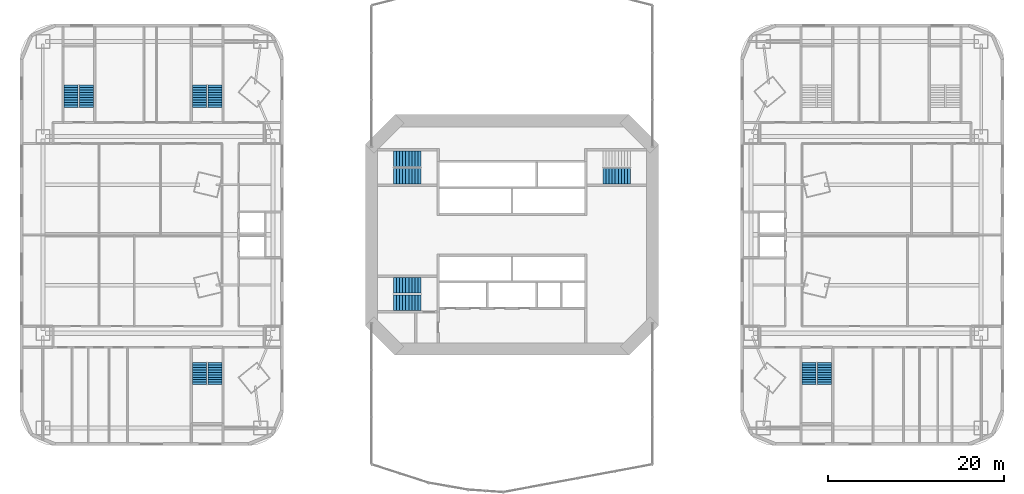
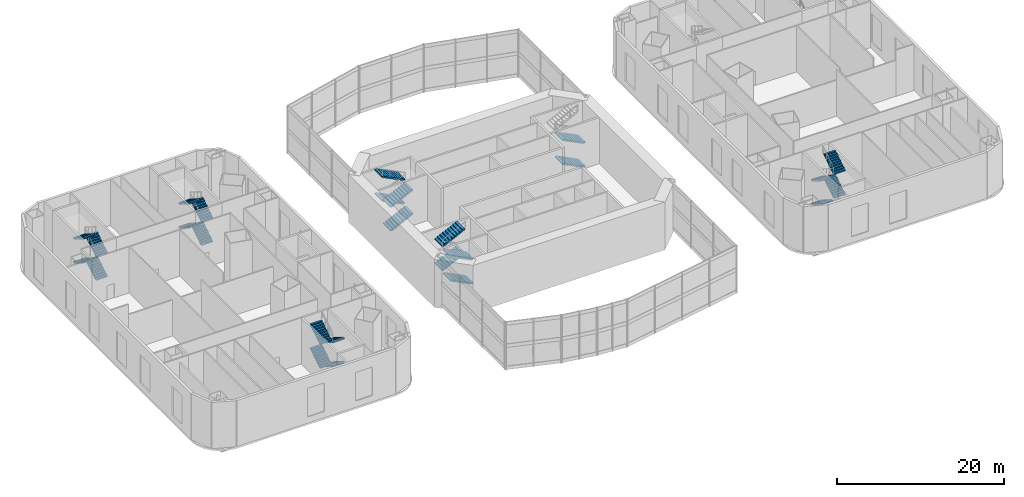
# One storey, part 16 of 19: 26 stair flights, 7 elements without a shape of their own.
"""IFC4 building model written with IfcOpenShell, lengths in metres."""

from ifc_helpers import new_model, si_unit, direction, frame, origin, place, context, subcontext, project, spatial, polyline, outline, extrude, material, type_object, element, aggregate, save


model = new_model("IFC4")

# Units and contexts
model_context = context("Model", 3, precision=1e-05, world=origin(), true_north=direction((0.0, 1.0)))
body_context = subcontext(model_context, "Body", "Model", "MODEL_VIEW")
ifc_project = project(units=[si_unit("LENGTHUNIT", "METRE"), si_unit("AREAUNIT", "SQUARE_METRE"), si_unit("VOLUMEUNIT", "CUBIC_METRE"), si_unit("PLANEANGLEUNIT", "RADIAN"), si_unit("MASSUNIT", "GRAM", prefix="KILO")], contexts=[model_context])

# Site, building, storey
site_placement = place(None, origin())
site = spatial("IfcSite", under=ifc_project, at=site_placement, CompositionType="ELEMENT")
building_placement = place(site_placement, origin())
building = spatial("IfcBuilding", under=site, at=building_placement, Name="Marenthal Gate Tower", CompositionType="ELEMENT")
storey_placement = place(building_placement, frame((0.0, 0.0, 12.0)))
storey = spatial("IfcBuildingStorey", under=building, at=storey_placement, Name="L01", CompositionType="ELEMENT", Elevation=12.0)

# Stair, stair flights
ifc_material_1 = material(Name="Concrete 40 MPa", Category="concrete")
stair_type_1 = type_object("IfcStairType", Name="Exit stair 1600", PredefinedType="HALF_TURN_STAIR", material=ifc_material_1)
stair_1_placement = place(storey_placement, origin())
stair_1 = element("IfcStair", 1, at=stair_1_placement, inside=storey, type_object=stair_type_1, Name="Stair E2", PredefinedType="HALF_TURN_STAIR")
ifc_material_2 = material(Name="Concrete 40 MPa", Category="concrete")
stair_flight_type_1 = type_object("IfcStairFlightType", Name="Stair flight 1600", PredefinedType="STRAIGHT", material=ifc_material_2)
stair_flight_1_placement = place(storey_placement, frame((33.824951171875, -14.52490234375, 0.0), z_axis=(0.0, 0.0, 1.0), x_axis=(0.0, -1.0, 0.0)))
stair_flight_1 = element("IfcStairFlight", 2, at=stair_flight_1_placement, type_object=stair_flight_type_1, Name="E2 flight 1", NumberOfRisers=10, NumberOfTreads=9, PredefinedType="STRAIGHT", RiserHeight=0.175, TreadLength=0.28, context=body_context, shape_type="SweptSolid", body=[
    extrude(outline(polyline([(0.0, 0.0), (0.0, 0.175048828125), (0.280029296875, 0.175048828125), (0.280029296875, 0.35009765625), (0.56005859375, 0.35009765625), (0.56005859375, 0.52490234375), (0.840087890625, 0.52490234375), (0.840087890625, 0.699951171875), (1.1201171875, 0.699951171875), (1.1201171875, 0.875), (1.39990234375, 0.875), (1.39990234375, 1.050048828125), (1.679931640625, 1.050048828125), (1.679931640625, 1.22509765625), (1.9599609375, 1.22509765625), (1.9599609375, 1.39990234375), (2.239990234375, 1.39990234375), (2.239990234375, 1.574951171875), (2.52001953125, 1.574951171875), (2.52001953125, 1.75), (2.52001953125, 1.398193359375), (0.28271484375, 0.0), (0.0, 0.0)])), frame((0.0, 0.800048828125, 0.0), z_axis=(0.0, -1.0, 0.0), x_axis=(1.0, 0.0, 0.0)), (0.0, 0.0, 1.0), 1.60009765625),
])
stair_flight_2_placement = place(storey_placement, frame((35.574951171875, -17.044921875, 1.75), z_axis=(0.0, 0.0, 1.0), x_axis=(0.0, 1.0, 0.0)))
stair_flight_2 = element("IfcStairFlight", 3, at=stair_flight_2_placement, type_object=stair_flight_type_1, Name="E2 flight 2", NumberOfRisers=10, NumberOfTreads=9, PredefinedType="STRAIGHT", RiserHeight=0.175, TreadLength=0.28, context=body_context, shape_type="SweptSolid", body=[
    extrude(outline(polyline([(0.0, 0.0), (0.0, 0.175048828125), (0.280029296875, 0.175048828125), (0.280029296875, 0.35009765625), (0.56005859375, 0.35009765625), (0.56005859375, 0.52490234375), (0.840087890625, 0.52490234375), (0.840087890625, 0.699951171875), (1.1201171875, 0.699951171875), (1.1201171875, 0.875), (1.39990234375, 0.875), (1.39990234375, 1.050048828125), (1.679931640625, 1.050048828125), (1.679931640625, 1.22509765625), (1.9599609375, 1.22509765625), (1.9599609375, 1.39990234375), (2.239990234375, 1.39990234375), (2.239990234375, 1.574951171875), (2.52001953125, 1.574951171875), (2.52001953125, 1.75), (2.52001953125, 1.398193359375), (0.28271484375, 0.0), (0.0, 0.0)])), frame((0.0, 0.800048828125, 0.0), z_axis=(0.0, -1.0, 0.0), x_axis=(1.0, 0.0, 0.0)), (0.0, 0.0, 1.0), 1.60009765625),
])
stair_flight_3_placement = place(storey_placement, frame((33.824951171875, -14.52490234375, 3.5), z_axis=(0.0, 0.0, 1.0), x_axis=(0.0, -1.0, 0.0)))
stair_flight_3 = element("IfcStairFlight", 4, at=stair_flight_3_placement, type_object=stair_flight_type_1, Name="E2 flight 3", NumberOfRisers=10, NumberOfTreads=9, PredefinedType="STRAIGHT", RiserHeight=0.175, TreadLength=0.28, context=body_context, shape_type="SweptSolid", body=[
    extrude(outline(polyline([(0.0, 0.0), (0.0, 0.175048828125), (0.280029296875, 0.175048828125), (0.280029296875, 0.35009765625), (0.56005859375, 0.35009765625), (0.56005859375, 0.52490234375), (0.840087890625, 0.52490234375), (0.840087890625, 0.699951171875), (1.1201171875, 0.699951171875), (1.1201171875, 0.875), (1.39990234375, 0.875), (1.39990234375, 1.050048828125), (1.679931640625, 1.050048828125), (1.679931640625, 1.22509765625), (1.9599609375, 1.22509765625), (1.9599609375, 1.39990234375), (2.239990234375, 1.39990234375), (2.239990234375, 1.574951171875), (2.52001953125, 1.574951171875), (2.52001953125, 1.75), (2.52001953125, 1.398193359375), (0.28271484375, 0.0), (0.0, 0.0)])), frame((0.0, 0.800048828125, 0.0), z_axis=(0.0, -1.0, 0.0), x_axis=(1.0, 0.0, 0.0)), (0.0, 0.0, 1.0), 1.60009765625),
])
stair_flight_4_placement = place(storey_placement, frame((35.574951171875, -17.044921875, 5.25), z_axis=(0.0, 0.0, 1.0), x_axis=(0.0, 1.0, 0.0)))
stair_flight_4 = element("IfcStairFlight", 5, at=stair_flight_4_placement, type_object=stair_flight_type_1, Name="E2 flight 4", NumberOfRisers=10, NumberOfTreads=9, PredefinedType="STRAIGHT", RiserHeight=0.175, TreadLength=0.28, context=body_context, shape_type="SweptSolid", body=[
    extrude(outline(polyline([(0.0, 0.0), (0.0, 0.175048828125), (0.280029296875, 0.175048828125), (0.280029296875, 0.35009765625), (0.56005859375, 0.35009765625), (0.56005859375, 0.52490234375), (0.840087890625, 0.52490234375), (0.840087890625, 0.699951171875), (1.1201171875, 0.699951171875), (1.1201171875, 0.875), (1.39990234375, 0.875), (1.39990234375, 1.050048828125), (1.679931640625, 1.050048828125), (1.679931640625, 1.22509765625), (1.9599609375, 1.22509765625), (1.9599609375, 1.39990234375), (2.239990234375, 1.39990234375), (2.239990234375, 1.574951171875), (2.52001953125, 1.574951171875), (2.52001953125, 1.75), (2.52001953125, 1.398193359375), (0.28271484375, 0.0), (0.0, 0.0)])), frame((0.0, 0.800048828125, 0.0), z_axis=(0.0, -1.0, 0.0), x_axis=(1.0, 0.0, 0.0)), (0.0, 0.0, 1.0), 1.60009765625),
])
aggregate(stair_1, [stair_flight_1, stair_flight_2, stair_flight_3, stair_flight_4])

stair_2_placement = place(storey_placement, origin())
stair_2 = element("IfcStair", 6, at=stair_2_placement, inside=storey, type_object=stair_type_1, Name="Stair W1", PredefinedType="HALF_TURN_STAIR")
stair_flight_5_placement = place(storey_placement, frame((-33.824951171875, 14.52490234375, 0.0), z_axis=(0.0, 0.0, 1.0), x_axis=(0.0, 1.0, 0.0)))
stair_flight_5 = element("IfcStairFlight", 7, at=stair_flight_5_placement, type_object=stair_flight_type_1, Name="W1 flight 1", NumberOfRisers=10, NumberOfTreads=9, PredefinedType="STRAIGHT", RiserHeight=0.175, TreadLength=0.28, context=body_context, shape_type="SweptSolid", body=[
    extrude(outline(polyline([(0.0, 0.0), (0.0, 0.175048828125), (0.280029296875, 0.175048828125), (0.280029296875, 0.35009765625), (0.56005859375, 0.35009765625), (0.56005859375, 0.52490234375), (0.840087890625, 0.52490234375), (0.840087890625, 0.699951171875), (1.1201171875, 0.699951171875), (1.1201171875, 0.875), (1.39990234375, 0.875), (1.39990234375, 1.050048828125), (1.679931640625, 1.050048828125), (1.679931640625, 1.22509765625), (1.9599609375, 1.22509765625), (1.9599609375, 1.39990234375), (2.239990234375, 1.39990234375), (2.239990234375, 1.574951171875), (2.52001953125, 1.574951171875), (2.52001953125, 1.75), (2.52001953125, 1.398193359375), (0.28271484375, 0.0), (0.0, 0.0)])), frame((0.0, 0.800048828125, 0.0), z_axis=(0.0, -1.0, 0.0), x_axis=(1.0, 0.0, 0.0)), (0.0, 0.0, 1.0), 1.60009765625),
])
stair_flight_6_placement = place(storey_placement, frame((-35.574951171875, 17.044921875, 1.75), z_axis=(0.0, 0.0, 1.0), x_axis=(0.0, -1.0, 0.0)))
stair_flight_6 = element("IfcStairFlight", 8, at=stair_flight_6_placement, type_object=stair_flight_type_1, Name="W1 flight 2", NumberOfRisers=10, NumberOfTreads=9, PredefinedType="STRAIGHT", RiserHeight=0.175, TreadLength=0.28, context=body_context, shape_type="SweptSolid", body=[
    extrude(outline(polyline([(0.0, 0.0), (0.0, 0.175048828125), (0.280029296875, 0.175048828125), (0.280029296875, 0.35009765625), (0.56005859375, 0.35009765625), (0.56005859375, 0.52490234375), (0.840087890625, 0.52490234375), (0.840087890625, 0.699951171875), (1.1201171875, 0.699951171875), (1.1201171875, 0.875), (1.39990234375, 0.875), (1.39990234375, 1.050048828125), (1.679931640625, 1.050048828125), (1.679931640625, 1.22509765625), (1.9599609375, 1.22509765625), (1.9599609375, 1.39990234375), (2.239990234375, 1.39990234375), (2.239990234375, 1.574951171875), (2.52001953125, 1.574951171875), (2.52001953125, 1.75), (2.52001953125, 1.398193359375), (0.28271484375, 0.0), (0.0, 0.0)])), frame((0.0, 0.800048828125, 0.0), z_axis=(0.0, -1.0, 0.0), x_axis=(1.0, 0.0, 0.0)), (0.0, 0.0, 1.0), 1.60009765625),
])
stair_flight_7_placement = place(storey_placement, frame((-33.824951171875, 14.52490234375, 3.5), z_axis=(0.0, 0.0, 1.0), x_axis=(0.0, 1.0, 0.0)))
stair_flight_7 = element("IfcStairFlight", 9, at=stair_flight_7_placement, type_object=stair_flight_type_1, Name="W1 flight 3", NumberOfRisers=10, NumberOfTreads=9, PredefinedType="STRAIGHT", RiserHeight=0.175, TreadLength=0.28, context=body_context, shape_type="SweptSolid", body=[
    extrude(outline(polyline([(0.0, 0.0), (0.0, 0.175048828125), (0.280029296875, 0.175048828125), (0.280029296875, 0.35009765625), (0.56005859375, 0.35009765625), (0.56005859375, 0.52490234375), (0.840087890625, 0.52490234375), (0.840087890625, 0.699951171875), (1.1201171875, 0.699951171875), (1.1201171875, 0.875), (1.39990234375, 0.875), (1.39990234375, 1.050048828125), (1.679931640625, 1.050048828125), (1.679931640625, 1.22509765625), (1.9599609375, 1.22509765625), (1.9599609375, 1.39990234375), (2.239990234375, 1.39990234375), (2.239990234375, 1.574951171875), (2.52001953125, 1.574951171875), (2.52001953125, 1.75), (2.52001953125, 1.398193359375), (0.28271484375, 0.0), (0.0, 0.0)])), frame((0.0, 0.800048828125, 0.0), z_axis=(0.0, -1.0, 0.0), x_axis=(1.0, 0.0, 0.0)), (0.0, 0.0, 1.0), 1.60009765625),
])
stair_flight_8_placement = place(storey_placement, frame((-35.574951171875, 17.044921875, 5.25), z_axis=(0.0, 0.0, 1.0), x_axis=(0.0, -1.0, 0.0)))
stair_flight_8 = element("IfcStairFlight", 10, at=stair_flight_8_placement, type_object=stair_flight_type_1, Name="W1 flight 4", NumberOfRisers=10, NumberOfTreads=9, PredefinedType="STRAIGHT", RiserHeight=0.175, TreadLength=0.28, context=body_context, shape_type="SweptSolid", body=[
    extrude(outline(polyline([(0.0, 0.0), (0.0, 0.175048828125), (0.280029296875, 0.175048828125), (0.280029296875, 0.35009765625), (0.56005859375, 0.35009765625), (0.56005859375, 0.52490234375), (0.840087890625, 0.52490234375), (0.840087890625, 0.699951171875), (1.1201171875, 0.699951171875), (1.1201171875, 0.875), (1.39990234375, 0.875), (1.39990234375, 1.050048828125), (1.679931640625, 1.050048828125), (1.679931640625, 1.22509765625), (1.9599609375, 1.22509765625), (1.9599609375, 1.39990234375), (2.239990234375, 1.39990234375), (2.239990234375, 1.574951171875), (2.52001953125, 1.574951171875), (2.52001953125, 1.75), (2.52001953125, 1.398193359375), (0.28271484375, 0.0), (0.0, 0.0)])), frame((0.0, 0.800048828125, 0.0), z_axis=(0.0, -1.0, 0.0), x_axis=(1.0, 0.0, 0.0)), (0.0, 0.0, 1.0), 1.60009765625),
])
aggregate(stair_2, [stair_flight_5, stair_flight_6, stair_flight_7, stair_flight_8])

stair_3_placement = place(storey_placement, origin())
stair_3 = element("IfcStair", 11, at=stair_3_placement, inside=storey, type_object=stair_type_1, Name="Stair W2", PredefinedType="HALF_TURN_STAIR")
stair_flight_9_placement = place(storey_placement, frame((-33.824951171875, -14.52490234375, 0.0), z_axis=(0.0, 0.0, 1.0), x_axis=(0.0, -1.0, 0.0)))
stair_flight_9 = element("IfcStairFlight", 12, at=stair_flight_9_placement, type_object=stair_flight_type_1, Name="W2 flight 1", NumberOfRisers=10, NumberOfTreads=9, PredefinedType="STRAIGHT", RiserHeight=0.175, TreadLength=0.28, context=body_context, shape_type="SweptSolid", body=[
    extrude(outline(polyline([(0.0, 0.0), (0.0, 0.175048828125), (0.280029296875, 0.175048828125), (0.280029296875, 0.35009765625), (0.56005859375, 0.35009765625), (0.56005859375, 0.52490234375), (0.840087890625, 0.52490234375), (0.840087890625, 0.699951171875), (1.1201171875, 0.699951171875), (1.1201171875, 0.875), (1.39990234375, 0.875), (1.39990234375, 1.050048828125), (1.679931640625, 1.050048828125), (1.679931640625, 1.22509765625), (1.9599609375, 1.22509765625), (1.9599609375, 1.39990234375), (2.239990234375, 1.39990234375), (2.239990234375, 1.574951171875), (2.52001953125, 1.574951171875), (2.52001953125, 1.75), (2.52001953125, 1.398193359375), (0.28271484375, 0.0), (0.0, 0.0)])), frame((0.0, 0.800048828125, 0.0), z_axis=(0.0, -1.0, 0.0), x_axis=(1.0, 0.0, 0.0)), (0.0, 0.0, 1.0), 1.60009765625),
])
stair_flight_10_placement = place(storey_placement, frame((-35.574951171875, -17.044921875, 1.75), z_axis=(0.0, 0.0, 1.0), x_axis=(0.0, 1.0, 0.0)))
stair_flight_10 = element("IfcStairFlight", 13, at=stair_flight_10_placement, type_object=stair_flight_type_1, Name="W2 flight 2", NumberOfRisers=10, NumberOfTreads=9, PredefinedType="STRAIGHT", RiserHeight=0.175, TreadLength=0.28, context=body_context, shape_type="SweptSolid", body=[
    extrude(outline(polyline([(0.0, 0.0), (0.0, 0.175048828125), (0.280029296875, 0.175048828125), (0.280029296875, 0.35009765625), (0.56005859375, 0.35009765625), (0.56005859375, 0.52490234375), (0.840087890625, 0.52490234375), (0.840087890625, 0.699951171875), (1.1201171875, 0.699951171875), (1.1201171875, 0.875), (1.39990234375, 0.875), (1.39990234375, 1.050048828125), (1.679931640625, 1.050048828125), (1.679931640625, 1.22509765625), (1.9599609375, 1.22509765625), (1.9599609375, 1.39990234375), (2.239990234375, 1.39990234375), (2.239990234375, 1.574951171875), (2.52001953125, 1.574951171875), (2.52001953125, 1.75), (2.52001953125, 1.398193359375), (0.28271484375, 0.0), (0.0, 0.0)])), frame((0.0, 0.800048828125, 0.0), z_axis=(0.0, -1.0, 0.0), x_axis=(1.0, 0.0, 0.0)), (0.0, 0.0, 1.0), 1.60009765625),
])
stair_flight_11_placement = place(storey_placement, frame((-33.824951171875, -14.52490234375, 3.5), z_axis=(0.0, 0.0, 1.0), x_axis=(0.0, -1.0, 0.0)))
stair_flight_11 = element("IfcStairFlight", 14, at=stair_flight_11_placement, type_object=stair_flight_type_1, Name="W2 flight 3", NumberOfRisers=10, NumberOfTreads=9, PredefinedType="STRAIGHT", RiserHeight=0.175, TreadLength=0.28, context=body_context, shape_type="SweptSolid", body=[
    extrude(outline(polyline([(0.0, 0.0), (0.0, 0.175048828125), (0.280029296875, 0.175048828125), (0.280029296875, 0.35009765625), (0.56005859375, 0.35009765625), (0.56005859375, 0.52490234375), (0.840087890625, 0.52490234375), (0.840087890625, 0.699951171875), (1.1201171875, 0.699951171875), (1.1201171875, 0.875), (1.39990234375, 0.875), (1.39990234375, 1.050048828125), (1.679931640625, 1.050048828125), (1.679931640625, 1.22509765625), (1.9599609375, 1.22509765625), (1.9599609375, 1.39990234375), (2.239990234375, 1.39990234375), (2.239990234375, 1.574951171875), (2.52001953125, 1.574951171875), (2.52001953125, 1.75), (2.52001953125, 1.398193359375), (0.28271484375, 0.0), (0.0, 0.0)])), frame((0.0, 0.800048828125, 0.0), z_axis=(0.0, -1.0, 0.0), x_axis=(1.0, 0.0, 0.0)), (0.0, 0.0, 1.0), 1.60009765625),
])
stair_flight_12_placement = place(storey_placement, frame((-35.574951171875, -17.044921875, 5.25), z_axis=(0.0, 0.0, 1.0), x_axis=(0.0, 1.0, 0.0)))
stair_flight_12 = element("IfcStairFlight", 15, at=stair_flight_12_placement, type_object=stair_flight_type_1, Name="W2 flight 4", NumberOfRisers=10, NumberOfTreads=9, PredefinedType="STRAIGHT", RiserHeight=0.175, TreadLength=0.28, context=body_context, shape_type="SweptSolid", body=[
    extrude(outline(polyline([(0.0, 0.0), (0.0, 0.175048828125), (0.280029296875, 0.175048828125), (0.280029296875, 0.35009765625), (0.56005859375, 0.35009765625), (0.56005859375, 0.52490234375), (0.840087890625, 0.52490234375), (0.840087890625, 0.699951171875), (1.1201171875, 0.699951171875), (1.1201171875, 0.875), (1.39990234375, 0.875), (1.39990234375, 1.050048828125), (1.679931640625, 1.050048828125), (1.679931640625, 1.22509765625), (1.9599609375, 1.22509765625), (1.9599609375, 1.39990234375), (2.239990234375, 1.39990234375), (2.239990234375, 1.574951171875), (2.52001953125, 1.574951171875), (2.52001953125, 1.75), (2.52001953125, 1.398193359375), (0.28271484375, 0.0), (0.0, 0.0)])), frame((0.0, 0.800048828125, 0.0), z_axis=(0.0, -1.0, 0.0), x_axis=(1.0, 0.0, 0.0)), (0.0, 0.0, 1.0), 1.60009765625),
])
aggregate(stair_3, [stair_flight_9, stair_flight_10, stair_flight_11, stair_flight_12])

stair_4_placement = place(storey_placement, origin())
stair_4 = element("IfcStair", 16, at=stair_4_placement, inside=storey, type_object=stair_type_1, Name="Stair W3", PredefinedType="HALF_TURN_STAIR")
stair_flight_13_placement = place(storey_placement, frame((-48.425048828125, 14.52490234375, 0.0), z_axis=(0.0, 0.0, 1.0), x_axis=(0.0, 1.0, 0.0)))
stair_flight_13 = element("IfcStairFlight", 17, at=stair_flight_13_placement, type_object=stair_flight_type_1, Name="W3 flight 1", NumberOfRisers=10, NumberOfTreads=9, PredefinedType="STRAIGHT", RiserHeight=0.175, TreadLength=0.28, context=body_context, shape_type="SweptSolid", body=[
    extrude(outline(polyline([(0.0, 0.0), (0.0, 0.175048828125), (0.280029296875, 0.175048828125), (0.280029296875, 0.35009765625), (0.56005859375, 0.35009765625), (0.56005859375, 0.52490234375), (0.840087890625, 0.52490234375), (0.840087890625, 0.699951171875), (1.1201171875, 0.699951171875), (1.1201171875, 0.875), (1.39990234375, 0.875), (1.39990234375, 1.050048828125), (1.679931640625, 1.050048828125), (1.679931640625, 1.22509765625), (1.9599609375, 1.22509765625), (1.9599609375, 1.39990234375), (2.239990234375, 1.39990234375), (2.239990234375, 1.574951171875), (2.52001953125, 1.574951171875), (2.52001953125, 1.75), (2.52001953125, 1.398193359375), (0.28271484375, 0.0), (0.0, 0.0)])), frame((0.0, 0.800048828125, 0.0), z_axis=(0.0, -1.0, 0.0), x_axis=(1.0, 0.0, 0.0)), (0.0, 0.0, 1.0), 1.60009765625),
])
stair_flight_14_placement = place(storey_placement, frame((-50.175048828125, 17.044921875, 1.75), z_axis=(0.0, 0.0, 1.0), x_axis=(0.0, -1.0, 0.0)))
stair_flight_14 = element("IfcStairFlight", 18, at=stair_flight_14_placement, type_object=stair_flight_type_1, Name="W3 flight 2", NumberOfRisers=10, NumberOfTreads=9, PredefinedType="STRAIGHT", RiserHeight=0.175, TreadLength=0.28, context=body_context, shape_type="SweptSolid", body=[
    extrude(outline(polyline([(0.0, 0.0), (0.0, 0.175048828125), (0.280029296875, 0.175048828125), (0.280029296875, 0.35009765625), (0.56005859375, 0.35009765625), (0.56005859375, 0.52490234375), (0.840087890625, 0.52490234375), (0.840087890625, 0.699951171875), (1.1201171875, 0.699951171875), (1.1201171875, 0.875), (1.39990234375, 0.875), (1.39990234375, 1.050048828125), (1.679931640625, 1.050048828125), (1.679931640625, 1.22509765625), (1.9599609375, 1.22509765625), (1.9599609375, 1.39990234375), (2.239990234375, 1.39990234375), (2.239990234375, 1.574951171875), (2.52001953125, 1.574951171875), (2.52001953125, 1.75), (2.52001953125, 1.398193359375), (0.28271484375, 0.0), (0.0, 0.0)])), frame((0.0, 0.800048828125, 0.0), z_axis=(0.0, -1.0, 0.0), x_axis=(1.0, 0.0, 0.0)), (0.0, 0.0, 1.0), 1.60009765625),
])
stair_flight_15_placement = place(storey_placement, frame((-48.425048828125, 14.52490234375, 3.5), z_axis=(0.0, 0.0, 1.0), x_axis=(0.0, 1.0, 0.0)))
stair_flight_15 = element("IfcStairFlight", 19, at=stair_flight_15_placement, type_object=stair_flight_type_1, Name="W3 flight 3", NumberOfRisers=10, NumberOfTreads=9, PredefinedType="STRAIGHT", RiserHeight=0.175, TreadLength=0.28, context=body_context, shape_type="SweptSolid", body=[
    extrude(outline(polyline([(0.0, 0.0), (0.0, 0.175048828125), (0.280029296875, 0.175048828125), (0.280029296875, 0.35009765625), (0.56005859375, 0.35009765625), (0.56005859375, 0.52490234375), (0.840087890625, 0.52490234375), (0.840087890625, 0.699951171875), (1.1201171875, 0.699951171875), (1.1201171875, 0.875), (1.39990234375, 0.875), (1.39990234375, 1.050048828125), (1.679931640625, 1.050048828125), (1.679931640625, 1.22509765625), (1.9599609375, 1.22509765625), (1.9599609375, 1.39990234375), (2.239990234375, 1.39990234375), (2.239990234375, 1.574951171875), (2.52001953125, 1.574951171875), (2.52001953125, 1.75), (2.52001953125, 1.398193359375), (0.28271484375, 0.0), (0.0, 0.0)])), frame((0.0, 0.800048828125, 0.0), z_axis=(0.0, -1.0, 0.0), x_axis=(1.0, 0.0, 0.0)), (0.0, 0.0, 1.0), 1.60009765625),
])
stair_flight_16_placement = place(storey_placement, frame((-50.175048828125, 17.044921875, 5.25), z_axis=(0.0, 0.0, 1.0), x_axis=(0.0, -1.0, 0.0)))
stair_flight_16 = element("IfcStairFlight", 20, at=stair_flight_16_placement, type_object=stair_flight_type_1, Name="W3 flight 4", NumberOfRisers=10, NumberOfTreads=9, PredefinedType="STRAIGHT", RiserHeight=0.175, TreadLength=0.28, context=body_context, shape_type="SweptSolid", body=[
    extrude(outline(polyline([(0.0, 0.0), (0.0, 0.175048828125), (0.280029296875, 0.175048828125), (0.280029296875, 0.35009765625), (0.56005859375, 0.35009765625), (0.56005859375, 0.52490234375), (0.840087890625, 0.52490234375), (0.840087890625, 0.699951171875), (1.1201171875, 0.699951171875), (1.1201171875, 0.875), (1.39990234375, 0.875), (1.39990234375, 1.050048828125), (1.679931640625, 1.050048828125), (1.679931640625, 1.22509765625), (1.9599609375, 1.22509765625), (1.9599609375, 1.39990234375), (2.239990234375, 1.39990234375), (2.239990234375, 1.574951171875), (2.52001953125, 1.574951171875), (2.52001953125, 1.75), (2.52001953125, 1.398193359375), (0.28271484375, 0.0), (0.0, 0.0)])), frame((0.0, 0.800048828125, 0.0), z_axis=(0.0, -1.0, 0.0), x_axis=(1.0, 0.0, 0.0)), (0.0, 0.0, 1.0), 1.60009765625),
])
aggregate(stair_4, [stair_flight_13, stair_flight_14, stair_flight_15, stair_flight_16])

ifc_material_3 = material(Name="Concrete 40 MPa", Category="concrete")
stair_type_2 = type_object("IfcStairType", Name="Exit stair 1800", PredefinedType="HALF_TURN_STAIR", material=ifc_material_3)
stair_5_placement = place(storey_placement, origin())
stair_5 = element("IfcStair", 21, at=stair_5_placement, inside=storey, type_object=stair_type_2, Name="Stair ST1", PredefinedType="HALF_TURN_STAIR")
ifc_material_4 = material(Name="Concrete 40 MPa", Category="concrete")
stair_flight_type_2 = type_object("IfcStairFlightType", Name="Stair flight 1800", PredefinedType="STRAIGHT", material=ifc_material_4)
stair_flight_17_placement = place(storey_placement, frame((-13.5, 6.675048828125, 0.0), z_axis=(0.0, 0.0, 1.0), x_axis=(1.0, 0.0, 0.0)))
stair_flight_17 = element("IfcStairFlight", 22, at=stair_flight_17_placement, type_object=stair_flight_type_2, Name="ST1 flight 1", NumberOfRisers=10, NumberOfTreads=9, PredefinedType="STRAIGHT", RiserHeight=0.175, TreadLength=0.35, context=body_context, shape_type="SweptSolid", body=[
    extrude(outline(polyline([(0.0, 0.0), (0.0, 0.175048828125), (0.35009765625, 0.175048828125), (0.35009765625, 0.35009765625), (0.699951171875, 0.35009765625), (0.699951171875, 0.52490234375), (1.050048828125, 0.52490234375), (1.050048828125, 0.699951171875), (1.39990234375, 0.699951171875), (1.39990234375, 0.875), (1.75, 0.875), (1.75, 1.050048828125), (2.10009765625, 1.050048828125), (2.10009765625, 1.22509765625), (2.449951171875, 1.22509765625), (2.449951171875, 1.39990234375), (2.800048828125, 1.39990234375), (2.800048828125, 1.574951171875), (3.14990234375, 1.574951171875), (3.14990234375, 1.75), (3.14990234375, 1.407470703125), (0.335205078125, 0.0), (0.0, 0.0)])), frame((0.0, 0.89990234375, 0.0), z_axis=(0.0, -1.0, 0.0), x_axis=(1.0, 0.0, 0.0)), (0.0, 0.0, 1.0), 1.800048828125),
])
stair_flight_18_placement = place(storey_placement, frame((-10.35009765625, 8.675048828125, 1.75), z_axis=(0.0, 0.0, 1.0), x_axis=(-1.0, 0.0, 0.0)))
stair_flight_18 = element("IfcStairFlight", 23, at=stair_flight_18_placement, type_object=stair_flight_type_2, Name="ST1 flight 2", NumberOfRisers=10, NumberOfTreads=9, PredefinedType="STRAIGHT", RiserHeight=0.175, TreadLength=0.35, context=body_context, shape_type="SweptSolid", body=[
    extrude(outline(polyline([(0.0, 0.0), (0.0, 0.175048828125), (0.35009765625, 0.175048828125), (0.35009765625, 0.35009765625), (0.699951171875, 0.35009765625), (0.699951171875, 0.52490234375), (1.050048828125, 0.52490234375), (1.050048828125, 0.699951171875), (1.39990234375, 0.699951171875), (1.39990234375, 0.875), (1.75, 0.875), (1.75, 1.050048828125), (2.10009765625, 1.050048828125), (2.10009765625, 1.22509765625), (2.449951171875, 1.22509765625), (2.449951171875, 1.39990234375), (2.800048828125, 1.39990234375), (2.800048828125, 1.574951171875), (3.14990234375, 1.574951171875), (3.14990234375, 1.75), (3.14990234375, 1.407470703125), (0.335205078125, 0.0), (0.0, 0.0)])), frame((0.0, 0.89990234375, 0.0), z_axis=(0.0, -1.0, 0.0), x_axis=(1.0, 0.0, 0.0)), (0.0, 0.0, 1.0), 1.800048828125),
])
stair_flight_19_placement = place(storey_placement, frame((-13.5, 6.675048828125, 3.5), z_axis=(0.0, 0.0, 1.0), x_axis=(1.0, 0.0, 0.0)))
stair_flight_19 = element("IfcStairFlight", 24, at=stair_flight_19_placement, type_object=stair_flight_type_2, Name="ST1 flight 3", NumberOfRisers=10, NumberOfTreads=9, PredefinedType="STRAIGHT", RiserHeight=0.175, TreadLength=0.35, context=body_context, shape_type="SweptSolid", body=[
    extrude(outline(polyline([(0.0, 0.0), (0.0, 0.175048828125), (0.35009765625, 0.175048828125), (0.35009765625, 0.35009765625), (0.699951171875, 0.35009765625), (0.699951171875, 0.52490234375), (1.050048828125, 0.52490234375), (1.050048828125, 0.699951171875), (1.39990234375, 0.699951171875), (1.39990234375, 0.875), (1.75, 0.875), (1.75, 1.050048828125), (2.10009765625, 1.050048828125), (2.10009765625, 1.22509765625), (2.449951171875, 1.22509765625), (2.449951171875, 1.39990234375), (2.800048828125, 1.39990234375), (2.800048828125, 1.574951171875), (3.14990234375, 1.574951171875), (3.14990234375, 1.75), (3.14990234375, 1.407470703125), (0.335205078125, 0.0), (0.0, 0.0)])), frame((0.0, 0.89990234375, 0.0), z_axis=(0.0, -1.0, 0.0), x_axis=(1.0, 0.0, 0.0)), (0.0, 0.0, 1.0), 1.800048828125),
])
stair_flight_20_placement = place(storey_placement, frame((-10.35009765625, 8.675048828125, 5.25), z_axis=(0.0, 0.0, 1.0), x_axis=(-1.0, 0.0, 0.0)))
stair_flight_20 = element("IfcStairFlight", 25, at=stair_flight_20_placement, type_object=stair_flight_type_2, Name="ST1 flight 4", NumberOfRisers=10, NumberOfTreads=9, PredefinedType="STRAIGHT", RiserHeight=0.175, TreadLength=0.35, context=body_context, shape_type="SweptSolid", body=[
    extrude(outline(polyline([(0.0, 0.0), (0.0, 0.175048828125), (0.35009765625, 0.175048828125), (0.35009765625, 0.35009765625), (0.699951171875, 0.35009765625), (0.699951171875, 0.52490234375), (1.050048828125, 0.52490234375), (1.050048828125, 0.699951171875), (1.39990234375, 0.699951171875), (1.39990234375, 0.875), (1.75, 0.875), (1.75, 1.050048828125), (2.10009765625, 1.050048828125), (2.10009765625, 1.22509765625), (2.449951171875, 1.22509765625), (2.449951171875, 1.39990234375), (2.800048828125, 1.39990234375), (2.800048828125, 1.574951171875), (3.14990234375, 1.574951171875), (3.14990234375, 1.75), (3.14990234375, 1.407470703125), (0.335205078125, 0.0), (0.0, 0.0)])), frame((0.0, 0.89990234375, 0.0), z_axis=(0.0, -1.0, 0.0), x_axis=(1.0, 0.0, 0.0)), (0.0, 0.0, 1.0), 1.800048828125),
])
aggregate(stair_5, [stair_flight_17, stair_flight_18, stair_flight_19, stair_flight_20])

stair_6_placement = place(storey_placement, origin())
stair_6 = element("IfcStair", 26, at=stair_6_placement, inside=storey, type_object=stair_type_2, Name="Stair ST2", PredefinedType="HALF_TURN_STAIR")
stair_flight_21_placement = place(storey_placement, frame((-10.35009765625, -7.72509765625, 0.0), z_axis=(0.0, 0.0, 1.0), x_axis=(-1.0, 0.0, 0.0)))
stair_flight_21 = element("IfcStairFlight", 27, at=stair_flight_21_placement, type_object=stair_flight_type_2, Name="ST2 flight 1", NumberOfRisers=10, NumberOfTreads=9, PredefinedType="STRAIGHT", RiserHeight=0.175, TreadLength=0.35, context=body_context, shape_type="SweptSolid", body=[
    extrude(outline(polyline([(0.0, 0.0), (0.0, 0.175048828125), (0.35009765625, 0.175048828125), (0.35009765625, 0.35009765625), (0.699951171875, 0.35009765625), (0.699951171875, 0.52490234375), (1.050048828125, 0.52490234375), (1.050048828125, 0.699951171875), (1.39990234375, 0.699951171875), (1.39990234375, 0.875), (1.75, 0.875), (1.75, 1.050048828125), (2.10009765625, 1.050048828125), (2.10009765625, 1.22509765625), (2.449951171875, 1.22509765625), (2.449951171875, 1.39990234375), (2.800048828125, 1.39990234375), (2.800048828125, 1.574951171875), (3.14990234375, 1.574951171875), (3.14990234375, 1.75), (3.14990234375, 1.407470703125), (0.335205078125, 0.0), (0.0, 0.0)])), frame((0.0, 0.89990234375, 0.0), z_axis=(0.0, -1.0, 0.0), x_axis=(1.0, 0.0, 0.0)), (0.0, 0.0, 1.0), 1.800048828125),
])
stair_flight_22_placement = place(storey_placement, frame((-13.5, -5.72509765625, 1.75), z_axis=(0.0, 0.0, 1.0), x_axis=(1.0, 0.0, 0.0)))
stair_flight_22 = element("IfcStairFlight", 28, at=stair_flight_22_placement, type_object=stair_flight_type_2, Name="ST2 flight 2", NumberOfRisers=10, NumberOfTreads=9, PredefinedType="STRAIGHT", RiserHeight=0.175, TreadLength=0.35, context=body_context, shape_type="SweptSolid", body=[
    extrude(outline(polyline([(0.0, 0.0), (0.0, 0.175048828125), (0.35009765625, 0.175048828125), (0.35009765625, 0.35009765625), (0.699951171875, 0.35009765625), (0.699951171875, 0.52490234375), (1.050048828125, 0.52490234375), (1.050048828125, 0.699951171875), (1.39990234375, 0.699951171875), (1.39990234375, 0.875), (1.75, 0.875), (1.75, 1.050048828125), (2.10009765625, 1.050048828125), (2.10009765625, 1.22509765625), (2.449951171875, 1.22509765625), (2.449951171875, 1.39990234375), (2.800048828125, 1.39990234375), (2.800048828125, 1.574951171875), (3.14990234375, 1.574951171875), (3.14990234375, 1.75), (3.14990234375, 1.407470703125), (0.335205078125, 0.0), (0.0, 0.0)])), frame((0.0, 0.89990234375, 0.0), z_axis=(0.0, -1.0, 0.0), x_axis=(1.0, 0.0, 0.0)), (0.0, 0.0, 1.0), 1.800048828125),
])
stair_flight_23_placement = place(storey_placement, frame((-10.35009765625, -7.72509765625, 3.5), z_axis=(0.0, 0.0, 1.0), x_axis=(-1.0, 0.0, 0.0)))
stair_flight_23 = element("IfcStairFlight", 29, at=stair_flight_23_placement, type_object=stair_flight_type_2, Name="ST2 flight 3", NumberOfRisers=10, NumberOfTreads=9, PredefinedType="STRAIGHT", RiserHeight=0.175, TreadLength=0.35, context=body_context, shape_type="SweptSolid", body=[
    extrude(outline(polyline([(0.0, 0.0), (0.0, 0.175048828125), (0.35009765625, 0.175048828125), (0.35009765625, 0.35009765625), (0.699951171875, 0.35009765625), (0.699951171875, 0.52490234375), (1.050048828125, 0.52490234375), (1.050048828125, 0.699951171875), (1.39990234375, 0.699951171875), (1.39990234375, 0.875), (1.75, 0.875), (1.75, 1.050048828125), (2.10009765625, 1.050048828125), (2.10009765625, 1.22509765625), (2.449951171875, 1.22509765625), (2.449951171875, 1.39990234375), (2.800048828125, 1.39990234375), (2.800048828125, 1.574951171875), (3.14990234375, 1.574951171875), (3.14990234375, 1.75), (3.14990234375, 1.407470703125), (0.335205078125, 0.0), (0.0, 0.0)])), frame((0.0, 0.89990234375, 0.0), z_axis=(0.0, -1.0, 0.0), x_axis=(1.0, 0.0, 0.0)), (0.0, 0.0, 1.0), 1.800048828125),
])
stair_flight_24_placement = place(storey_placement, frame((-13.5, -5.72509765625, 5.25), z_axis=(0.0, 0.0, 1.0), x_axis=(1.0, 0.0, 0.0)))
stair_flight_24 = element("IfcStairFlight", 30, at=stair_flight_24_placement, type_object=stair_flight_type_2, Name="ST2 flight 4", NumberOfRisers=10, NumberOfTreads=9, PredefinedType="STRAIGHT", RiserHeight=0.175, TreadLength=0.35, context=body_context, shape_type="SweptSolid", body=[
    extrude(outline(polyline([(0.0, 0.0), (0.0, 0.175048828125), (0.35009765625, 0.175048828125), (0.35009765625, 0.35009765625), (0.699951171875, 0.35009765625), (0.699951171875, 0.52490234375), (1.050048828125, 0.52490234375), (1.050048828125, 0.699951171875), (1.39990234375, 0.699951171875), (1.39990234375, 0.875), (1.75, 0.875), (1.75, 1.050048828125), (2.10009765625, 1.050048828125), (2.10009765625, 1.22509765625), (2.449951171875, 1.22509765625), (2.449951171875, 1.39990234375), (2.800048828125, 1.39990234375), (2.800048828125, 1.574951171875), (3.14990234375, 1.574951171875), (3.14990234375, 1.75), (3.14990234375, 1.407470703125), (0.335205078125, 0.0), (0.0, 0.0)])), frame((0.0, 0.89990234375, 0.0), z_axis=(0.0, -1.0, 0.0), x_axis=(1.0, 0.0, 0.0)), (0.0, 0.0, 1.0), 1.800048828125),
])
aggregate(stair_6, [stair_flight_21, stair_flight_22, stair_flight_23, stair_flight_24])

stair_7_placement = place(storey_placement, origin())
stair_7 = element("IfcStair", 31, at=stair_7_placement, inside=storey, type_object=stair_type_2, Name="Stair ST3", PredefinedType="HALF_TURN_STAIR")
stair_flight_25_placement = place(storey_placement, frame((13.5, 6.675048828125, 0.0), z_axis=(0.0, 0.0, 1.0), x_axis=(-1.0, 0.0, 0.0)))
stair_flight_25 = element("IfcStairFlight", 32, at=stair_flight_25_placement, type_object=stair_flight_type_2, Name="ST3 flight 1", NumberOfRisers=10, NumberOfTreads=9, PredefinedType="STRAIGHT", RiserHeight=0.175, TreadLength=0.35, context=body_context, shape_type="SweptSolid", body=[
    extrude(outline(polyline([(0.0, 0.0), (0.0, 0.175048828125), (0.35009765625, 0.175048828125), (0.35009765625, 0.35009765625), (0.699951171875, 0.35009765625), (0.699951171875, 0.52490234375), (1.050048828125, 0.52490234375), (1.050048828125, 0.699951171875), (1.39990234375, 0.699951171875), (1.39990234375, 0.875), (1.75, 0.875), (1.75, 1.050048828125), (2.10009765625, 1.050048828125), (2.10009765625, 1.22509765625), (2.449951171875, 1.22509765625), (2.449951171875, 1.39990234375), (2.800048828125, 1.39990234375), (2.800048828125, 1.574951171875), (3.14990234375, 1.574951171875), (3.14990234375, 1.75), (3.14990234375, 1.407470703125), (0.335205078125, 0.0), (0.0, 0.0)])), frame((0.0, 0.89990234375, 0.0), z_axis=(0.0, -1.0, 0.0), x_axis=(1.0, 0.0, 0.0)), (0.0, 0.0, 1.0), 1.800048828125),
])
stair_flight_26_placement = place(storey_placement, frame((13.5, 6.675048828125, 3.5), z_axis=(0.0, 0.0, 1.0), x_axis=(-1.0, 0.0, 0.0)))
stair_flight_26 = element("IfcStairFlight", 33, at=stair_flight_26_placement, type_object=stair_flight_type_2, Name="ST3 flight 3", NumberOfRisers=10, NumberOfTreads=9, PredefinedType="STRAIGHT", RiserHeight=0.175, TreadLength=0.35, context=body_context, shape_type="SweptSolid", body=[
    extrude(outline(polyline([(0.0, 0.0), (0.0, 0.175048828125), (0.35009765625, 0.175048828125), (0.35009765625, 0.35009765625), (0.699951171875, 0.35009765625), (0.699951171875, 0.52490234375), (1.050048828125, 0.52490234375), (1.050048828125, 0.699951171875), (1.39990234375, 0.699951171875), (1.39990234375, 0.875), (1.75, 0.875), (1.75, 1.050048828125), (2.10009765625, 1.050048828125), (2.10009765625, 1.22509765625), (2.449951171875, 1.22509765625), (2.449951171875, 1.39990234375), (2.800048828125, 1.39990234375), (2.800048828125, 1.574951171875), (3.14990234375, 1.574951171875), (3.14990234375, 1.75), (3.14990234375, 1.407470703125), (0.335205078125, 0.0), (0.0, 0.0)])), frame((0.0, 0.89990234375, 0.0), z_axis=(0.0, -1.0, 0.0), x_axis=(1.0, 0.0, 0.0)), (0.0, 0.0, 1.0), 1.800048828125),
])
aggregate(stair_7, [stair_flight_25, stair_flight_26])

save(model, "model.ifc")
